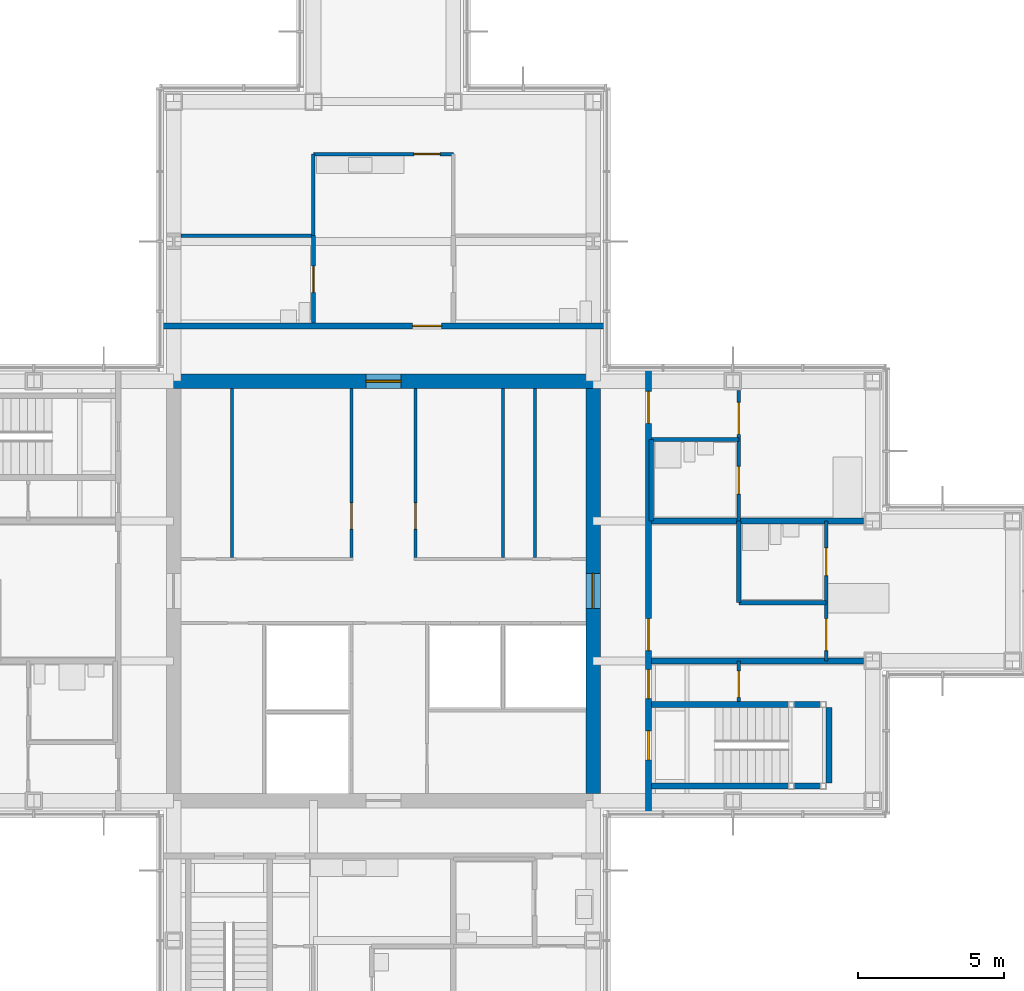
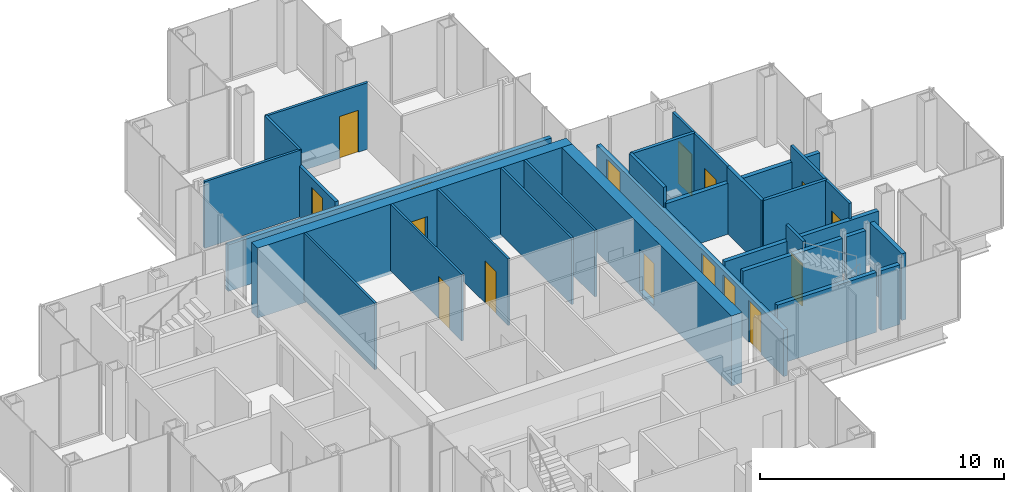
# One storey, part 13 of 17: 27 walls, 16 doors, 16 openings.
"""IFC4 building model written with IfcOpenShell, lengths in metres."""

from ifc_helpers import new_model, si_unit, direction, frame, frame_2d, origin, place, context, subcontext, project, spatial, rectangle, extrude, material, layer, layer_set, type_object, element, fill, save


model = new_model("IFC4")

# Units and contexts
model_context = context("Model", 3, precision=1e-05, world=origin(), true_north=direction((0.0, 1.0)))
body_context = subcontext(model_context, "Body", "Model", "MODEL_VIEW")
ifc_project = project(units=[si_unit("LENGTHUNIT", "METRE"), si_unit("AREAUNIT", "SQUARE_METRE"), si_unit("VOLUMEUNIT", "CUBIC_METRE"), si_unit("PLANEANGLEUNIT", "RADIAN"), si_unit("MASSUNIT", "GRAM", prefix="KILO")], contexts=[model_context])

# Site, building, storey
site_placement = place(None, origin())
site = spatial("IfcSite", under=ifc_project, at=site_placement, CompositionType="ELEMENT")
building_placement = place(site_placement, origin())
building = spatial("IfcBuilding", under=site, at=building_placement, Name="Kvirike Care Tower", CompositionType="ELEMENT")
storey_placement = place(building_placement, frame((0.0, 0.0, 158.5)))
storey = spatial("IfcBuildingStorey", under=building, at=storey_placement, Name="L43", CompositionType="ELEMENT", Elevation=158.5)

# Wall, opening, door
ifc_material_1 = material(Name="Moisture-resistant board partition", Category="gypsum")
ifc_layer_1 = layer(ifc_material_1, 0.14990234375)
ifc_layer_set_1 = layer_set([ifc_layer_1], Name="BATHROOM WALL 150")
wall_type_1 = type_object("IfcWallType", Name="BATHROOM WALL 150", PredefinedType="PARTITIONING", material=ifc_layer_set_1)
wall_1_placement = place(storey_placement, frame((19.199951171875, 48.199951171875, 0.0), z_axis=(0.0, 0.0, 1.0), x_axis=(0.0, -1.0, 0.0)))
wall_1 = element("IfcWall", 1, at=wall_1_placement, inside=storey, type_object=wall_type_1, Name="Bathroom Wall 150 L43", PredefinedType="PARTITIONING", context=body_context, shape_type="SweptSolid", body=[
    extrude(rectangle(XDim=3.0, YDim=0.14990234375, at=frame_2d((1.5, 0.0))), origin(), (0.0, 0.0, 1.0), 2.550048828125),
])
opening_1_placement = place(wall_1_placement, frame((1.050048828125, 0.0, 0.0)))
opening_1 = element("IfcOpeningElement", 2, at=opening_1_placement, cuts=wall_1, Name="Opening 43-018", PredefinedType="OPENING", context=body_context, shape_type="SweptSolid", body=[
    extrude(rectangle(XDim=0.89990234375, YDim=2.10009765625, at=frame_2d((0.449951171875, 1.050048828125))), frame((0.0, 0.08544921875, 0.0), z_axis=(0.0, -1.0, 0.0), x_axis=(1.0, 0.0, 0.0)), (0.0, 0.0, 1.0), 0.1708984375),
])
ifc_material_2 = material(Name="Timber door set", Category="wood")
door_type_1 = type_object("IfcDoorType", Name="BATHROOM DOOR 900", OperationType="SINGLE_SWING_RIGHT", PredefinedType="DOOR", material=ifc_material_2)
door_1_placement = place(opening_1_placement, frame((0.89990234375, 0.0, 0.0), z_axis=(0.0, 0.0, 1.0), x_axis=(-1.0, 0.0, 0.0)))
door_1 = element("IfcDoor", 3, at=door_1_placement, inside=storey, type_object=door_type_1, Name="Staff WC door", OperationType="SINGLE_SWING_LEFT", OverallHeight=2.10009765625, OverallWidth=0.89990234375, PredefinedType="DOOR", context=body_context, shape_type="SweptSolid", body=[
    extrude(rectangle(XDim=0.89990234375, YDim=2.10009765625, at=frame_2d((0.449951171875, 1.050048828125))), frame((0.0, 0.02197265625, 0.0), z_axis=(0.0, -1.0, 0.0), x_axis=(1.0, 0.0, 0.0)), (0.0, 0.0, 1.0), 0.0439453125),
])
fill(opening_1, door_1)

# Walls
wall_2_placement = place(storey_placement, frame((36.800048828125, 35.60009765625, 0.0), z_axis=(0.0, 0.0, 1.0), x_axis=(-1.0, 0.0, 0.0)))
element("IfcWall", 4, at=wall_2_placement, inside=storey, type_object=wall_type_1, Name="Bathroom Wall 150 L43", PredefinedType="PARTITIONING", context=body_context, shape_type="SweptSolid", body=[
    extrude(rectangle(XDim=3.0, YDim=0.14990234375, at=frame_2d((1.5, 0.0))), origin(), (0.0, 0.0, 1.0), 3.330078125),
])
wall_3_placement = place(storey_placement, frame((33.800048828125, 35.60009765625, 0.0), z_axis=(0.0, 0.0, 1.0), x_axis=(0.0, 1.0, 0.0)))
element("IfcWall", 5, at=wall_3_placement, inside=storey, type_object=wall_type_1, Name="Bathroom Wall 150 L43", PredefinedType="PARTITIONING", context=body_context, shape_type="SweptSolid", body=[
    extrude(rectangle(XDim=2.7998046875, YDim=0.14990234375, at=frame_2d((1.39990234375, 0.0))), origin(), (0.0, 0.0, 1.0), 3.330078125),
])
wall_4_placement = place(storey_placement, frame((33.800048828125, 41.199951171875, 0.0), z_axis=(0.0, 0.0, 1.0), x_axis=(-1.0, 0.0, 0.0)))
element("IfcWall", 6, at=wall_4_placement, inside=storey, type_object=wall_type_1, Name="Bathroom Wall 150 L43", PredefinedType="PARTITIONING", context=body_context, shape_type="SweptSolid", body=[
    extrude(rectangle(XDim=3.0, YDim=0.14990234375, at=frame_2d((1.5, 0.0))), origin(), (0.0, 0.0, 1.0), 3.330078125),
])
wall_5_placement = place(storey_placement, frame((30.800048828125, 38.39990234375, 0.0), z_axis=(0.0, 0.0, 1.0), x_axis=(0.0, 1.0, 0.0)))
element("IfcWall", 7, at=wall_5_placement, inside=storey, type_object=wall_type_1, Name="Bathroom Wall 150 L43", PredefinedType="PARTITIONING", context=body_context, shape_type="SweptSolid", body=[
    extrude(rectangle(XDim=2.800048828125, YDim=0.14990234375, at=frame_2d((1.39990234375, 0.0))), origin(), (0.0, 0.0, 1.0), 3.330078125),
])

# Wall, opening, door
ifc_material_3 = material(Name="Concrete C45/55", Category="concrete")
ifc_layer_2 = layer(ifc_material_3, 0.5)
ifc_layer_set_2 = layer_set([ifc_layer_2], Name="CORE WALL 500 C45-55")
wall_type_2 = type_object("IfcWallType", Name="CORE WALL 500 C45-55", PredefinedType="SHEAR", material=ifc_layer_set_2)
wall_6_placement = place(storey_placement, frame((29.050048828125, 43.199951171875, -0.169921875), z_axis=(0.0, 0.0, 1.0), x_axis=(-1.0, 0.0, 0.0)))
wall_6 = element("IfcWall", 8, at=wall_6_placement, inside=storey, type_object=wall_type_2, Name="Core wall N L43", PredefinedType="SHEAR", context=body_context, shape_type="SweptSolid", body=[
    extrude(rectangle(XDim=14.900146484375, YDim=0.5, at=frame_2d((7.4501953125, 0.0))), origin(), (0.0, 0.0, 1.0), 3.5),
])
opening_2_placement = place(wall_6_placement, frame((6.85009765625, 0.0, 0.169921875)))
opening_2 = element("IfcOpeningElement", 9, at=opening_2_placement, cuts=wall_6, Name="Opening 43-046", PredefinedType="OPENING", context=body_context, shape_type="SweptSolid", body=[
    extrude(rectangle(XDim=1.199951171875, YDim=2.10009765625, at=frame_2d((0.60009765625, 1.050048828125))), frame((0.0, 0.260498046875, 0.0), z_axis=(0.0, -1.0, 0.0), x_axis=(1.0, 0.0, 0.0)), (0.0, 0.0, 1.0), 0.52099609375),
])
ifc_material_4 = material(Name="Timber door set", Category="wood")
door_type_2 = type_object("IfcDoorType", Name="CORE DOOR 1200", OperationType="SINGLE_SWING_LEFT", PredefinedType="DOOR", material=ifc_material_4)
door_2_placement = place(opening_2_placement, origin())
door_2 = element("IfcDoor", 10, at=door_2_placement, inside=storey, type_object=door_type_2, Name="Core door N L43", OperationType="SINGLE_SWING_LEFT", OverallHeight=2.10009765625, OverallWidth=1.199951171875, PredefinedType="DOOR", context=body_context, shape_type="SweptSolid", body=[
    extrude(rectangle(XDim=1.199951171875, YDim=2.10009765625, at=frame_2d((0.60009765625, 1.050048828125))), frame((0.0, 0.02685546875, 0.0), z_axis=(0.0, -1.0, 0.0), x_axis=(1.0, 0.0, 0.0)), (0.0, 0.0, 1.0), 0.053955078125),
])
fill(opening_2, door_2)

wall_7_placement = place(storey_placement, frame((28.800048828125, 29.050048828125, -0.169921875), z_axis=(0.0, 0.0, 1.0), x_axis=(0.0, 1.0, 0.0)))
wall_7 = element("IfcWall", 11, at=wall_7_placement, inside=storey, type_object=wall_type_2, Name="Core wall E L43", PredefinedType="SHEAR", context=body_context, shape_type="SweptSolid", body=[
    extrude(rectangle(XDim=13.89990234375, YDim=0.5, at=frame_2d((6.949951171875, 0.0))), origin(), (0.0, 0.0, 1.0), 3.5),
])
opening_3_placement = place(wall_7_placement, frame((6.35009765625, 0.0, 0.169921875)))
opening_3 = element("IfcOpeningElement", 12, at=opening_3_placement, cuts=wall_7, Name="Opening 43-045", PredefinedType="OPENING", context=body_context, shape_type="SweptSolid", body=[
    extrude(rectangle(XDim=1.199951171875, YDim=2.10009765625, at=frame_2d((0.60009765625, 1.050048828125))), frame((0.0, 0.260498046875, 0.0), z_axis=(0.0, -1.0, 0.0), x_axis=(1.0, 0.0, 0.0)), (0.0, 0.0, 1.0), 0.52099609375),
])
door_3_placement = place(opening_3_placement, origin())
door_3 = element("IfcDoor", 13, at=door_3_placement, inside=storey, type_object=door_type_2, Name="Core door E L43", OperationType="SINGLE_SWING_LEFT", OverallHeight=2.10009765625, OverallWidth=1.199951171875, PredefinedType="DOOR", context=body_context, shape_type="SweptSolid", body=[
    extrude(rectangle(XDim=1.199951171875, YDim=2.10009765625, at=frame_2d((0.60009765625, 1.050048828125))), frame((0.0, 0.02685546875, 0.0), z_axis=(0.0, -1.0, 0.0), x_axis=(1.0, 0.0, 0.0)), (0.0, 0.0, 1.0), 0.053955078125),
])
fill(opening_3, door_3)

ifc_material_5 = material(Name="Plasterboard corridor wall", Category="gypsum")
ifc_layer_3 = layer(ifc_material_5, 0.199951171875)
ifc_layer_set_3 = layer_set([ifc_layer_3], Name="CORRIDOR WALL 200")
wall_type_3 = type_object("IfcWallType", Name="CORRIDOR WALL 200", PredefinedType="PARTITIONING", material=ifc_layer_set_3)
wall_8_placement = place(storey_placement, frame((29.25, 45.10009765625, 0.0), z_axis=(0.0, 0.0, 1.0), x_axis=(-1.0, 0.0, 0.0)))
wall_8 = element("IfcWall", 14, at=wall_8_placement, inside=storey, type_object=wall_type_3, Name="Corridor Wall 200 L43", PredefinedType="PARTITIONING", context=body_context, shape_type="SweptSolid", body=[
    extrude(rectangle(XDim=15.300048828125, YDim=0.199951171875, at=frame_2d((7.64990234375, 0.0))), origin(), (0.0, 0.0, 1.0), 2.320068359375),
])
opening_4_placement = place(wall_8_placement, frame((5.64990234375, 0.0, 0.0)))
opening_4 = element("IfcOpeningElement", 15, at=opening_4_placement, cuts=wall_8, Name="Opening 43-020", PredefinedType="OPENING", context=body_context, shape_type="SweptSolid", body=[
    extrude(rectangle(XDim=1.0, YDim=2.10009765625, at=frame_2d((0.5, 1.050048828125))), frame((0.0, 0.110595703125, 0.0), z_axis=(0.0, -1.0, 0.0), x_axis=(1.0, 0.0, 0.0)), (0.0, 0.0, 1.0), 0.220947265625),
])
ifc_material_6 = material(Name="Timber door set", Category="wood")
door_type_3 = type_object("IfcDoorType", Name="FLAT ENTRANCE DOOR 1000", OperationType="SINGLE_SWING_LEFT", PredefinedType="DOOR", material=ifc_material_6)
door_4_placement = place(opening_4_placement, frame((1.0, 0.0, 0.0), z_axis=(0.0, 0.0, 1.0), x_axis=(-1.0, 0.0, 0.0)))
door_4 = element("IfcDoor", 16, at=door_4_placement, inside=storey, type_object=door_type_3, Name="Household lounge and dining room entrance", OperationType="SINGLE_SWING_LEFT", OverallHeight=2.10009765625, OverallWidth=1.0, PredefinedType="DOOR", context=body_context, shape_type="SweptSolid", body=[
    extrude(rectangle(XDim=1.0, YDim=2.10009765625, at=frame_2d((0.5, 1.050048828125))), frame((0.0, 0.02685546875, 0.0), z_axis=(0.0, -1.0, 0.0), x_axis=(1.0, 0.0, 0.0)), (0.0, 0.0, 1.0), 0.053955078125),
])
fill(opening_4, door_4)

# Wall, openings, doors
wall_9_placement = place(storey_placement, frame((30.699951171875, 28.35009765625, 0.0), z_axis=(0.0, 0.0, 1.0), x_axis=(0.0, 1.0, 0.0)))
wall_9 = element("IfcWall", 17, at=wall_9_placement, inside=storey, type_object=wall_type_3, Name="Corridor Wall 200 L43", PredefinedType="PARTITIONING", context=body_context, shape_type="SweptSolid", body=[
    extrude(rectangle(XDim=15.2998046875, YDim=0.199951171875, at=frame_2d((7.64990234375, 0.0))), origin(), (0.0, 0.0, 1.0), 2.320068359375),
])
opening_5_placement = place(wall_9_placement, frame((1.85009765625, 0.0, 0.0)))
opening_5 = element("IfcOpeningElement", 18, at=opening_5_placement, cuts=wall_9, Name="Opening 43-026", PredefinedType="OPENING", context=body_context, shape_type="SweptSolid", body=[
    extrude(rectangle(XDim=1.0, YDim=2.10009765625, at=frame_2d((0.5, 1.050048828125))), frame((0.0, 0.110595703125, 0.0), z_axis=(0.0, -1.0, 0.0), x_axis=(1.0, 0.0, 0.0)), (0.0, 0.0, 1.0), 0.220947265625),
])
opening_6_placement = place(wall_9_placement, frame((3.949951171875, 0.0, 0.0)))
opening_6 = element("IfcOpeningElement", 19, at=opening_6_placement, cuts=wall_9, Name="Opening 43-027", PredefinedType="OPENING", context=body_context, shape_type="SweptSolid", body=[
    extrude(rectangle(XDim=1.0, YDim=2.10009765625, at=frame_2d((0.5, 1.050048828125))), frame((0.0, 0.110595703125, 0.0), z_axis=(0.0, -1.0, 0.0), x_axis=(1.0, 0.0, 0.0)), (0.0, 0.0, 1.0), 0.220947265625),
])
opening_7_placement = place(wall_9_placement, frame((5.60009765625, 0.0, 0.0)))
opening_7 = element("IfcOpeningElement", 20, at=opening_7_placement, cuts=wall_9, Name="Opening 43-028", PredefinedType="OPENING", context=body_context, shape_type="SweptSolid", body=[
    extrude(rectangle(XDim=1.10009765625, YDim=2.10009765625, at=frame_2d((0.550048828125, 1.050048828125))), frame((0.0, 0.110595703125, 0.0), z_axis=(0.0, -1.0, 0.0), x_axis=(1.0, 0.0, 0.0)), (0.0, 0.0, 1.0), 0.220947265625),
])
opening_8_placement = place(wall_9_placement, frame((13.39990234375, 0.0, 0.0)))
opening_8 = element("IfcOpeningElement", 21, at=opening_8_placement, cuts=wall_9, Name="Opening 43-029", PredefinedType="OPENING", context=body_context, shape_type="SweptSolid", body=[
    extrude(rectangle(XDim=1.10009765625, YDim=2.10009765625, at=frame_2d((0.550048828125, 1.050048828125))), frame((0.0, 0.110595703125, 0.0), z_axis=(0.0, -1.0, 0.0), x_axis=(1.0, 0.0, 0.0)), (0.0, 0.0, 1.0), 0.220947265625),
])
ifc_material_7 = material(Name="Timber door set", Category="wood")
door_type_4 = type_object("IfcDoorType", Name="BEDROOM ENTRANCE DOOR 1100", OperationType="SINGLE_SWING_LEFT", PredefinedType="DOOR", material=ifc_material_7)
door_5_placement = place(opening_7_placement, frame((1.10009765625, 0.0, 0.0), z_axis=(0.0, 0.0, 1.0), x_axis=(-1.0, 0.0, 0.0)))
door_5 = element("IfcDoor", 22, at=door_5_placement, inside=storey, type_object=door_type_4, Name="Memory care bedroom entrance", OperationType="SINGLE_SWING_LEFT", OverallHeight=2.10009765625, OverallWidth=1.10009765625, PredefinedType="DOOR", context=body_context, shape_type="SweptSolid", body=[
    extrude(rectangle(XDim=1.10009765625, YDim=2.10009765625, at=frame_2d((0.550048828125, 1.050048828125))), frame((0.0, 0.02685546875, 0.0), z_axis=(0.0, -1.0, 0.0), x_axis=(1.0, 0.0, 0.0)), (0.0, 0.0, 1.0), 0.053955078125),
])
fill(opening_7, door_5)
door_6_placement = place(opening_8_placement, frame((1.10009765625, 0.0, 0.0), z_axis=(0.0, 0.0, 1.0), x_axis=(-1.0, 0.0, 0.0)))
door_6 = element("IfcDoor", 23, at=door_6_placement, inside=storey, type_object=door_type_4, Name="Memory care bedroom entrance", OperationType="SINGLE_SWING_RIGHT", OverallHeight=2.10009765625, OverallWidth=1.10009765625, PredefinedType="DOOR", context=body_context, shape_type="SweptSolid", body=[
    extrude(rectangle(XDim=1.10009765625, YDim=2.10009765625, at=frame_2d((0.550048828125, 1.050048828125))), frame((0.0, 0.02685546875, 0.0), z_axis=(0.0, -1.0, 0.0), x_axis=(1.0, 0.0, 0.0)), (0.0, 0.0, 1.0), 0.053955078125),
])
fill(opening_8, door_6)
door_7_placement = place(opening_6_placement, frame((1.0, 0.0, 0.0), z_axis=(0.0, 0.0, 1.0), x_axis=(-1.0, 0.0, 0.0)))
door_7 = element("IfcDoor", 24, at=door_7_placement, inside=storey, type_object=door_type_3, Name="Care base entrance", OperationType="SINGLE_SWING_LEFT", OverallHeight=2.10009765625, OverallWidth=1.0, PredefinedType="DOOR", context=body_context, shape_type="SweptSolid", body=[
    extrude(rectangle(XDim=1.0, YDim=2.10009765625, at=frame_2d((0.5, 1.050048828125))), frame((0.0, 0.02685546875, 0.0), z_axis=(0.0, -1.0, 0.0), x_axis=(1.0, 0.0, 0.0)), (0.0, 0.0, 1.0), 0.053955078125),
])
fill(opening_6, door_7)
ifc_material_8 = material(Name="Timber door set", Category="wood")
door_type_5 = type_object("IfcDoorType", Name="STAIR DOOR 1000", OperationType="SINGLE_SWING_LEFT", PredefinedType="DOOR", material=ifc_material_8)
door_8_placement = place(opening_5_placement, frame((1.0, 0.0, 0.0), z_axis=(0.0, 0.0, 1.0), x_axis=(-1.0, 0.0, 0.0)))
door_8 = element("IfcDoor", 25, at=door_8_placement, inside=storey, type_object=door_type_5, Name="Stair 2 door", OperationType="SINGLE_SWING_LEFT", OverallHeight=2.10009765625, OverallWidth=1.0, PredefinedType="DOOR", context=body_context, shape_type="SweptSolid", body=[
    extrude(rectangle(XDim=1.0, YDim=2.10009765625, at=frame_2d((0.5, 1.050048828125))), frame((0.0, 0.031982421875, 0.0), z_axis=(0.0, -1.0, 0.0), x_axis=(1.0, 0.0, 0.0)), (0.0, 0.0, 1.0), 0.06396484375),
])
fill(opening_5, door_8)

# Wall, opening, door
ifc_material_9 = material(Name="Plasterboard partition", Category="gypsum")
ifc_layer_4 = layer(ifc_material_9, 0.1201171875)
ifc_layer_set_4 = layer_set([ifc_layer_4], Name="PARTITION 120")
wall_type_4 = type_object("IfcWallType", Name="PARTITION 120", PredefinedType="PARTITIONING", material=ifc_layer_set_4)
wall_10_placement = place(storey_placement, frame((24.0, 51.0, 0.0), z_axis=(0.0, 0.0, 1.0), x_axis=(-1.0, 0.0, 0.0)))
wall_10 = element("IfcWall", 26, at=wall_10_placement, inside=storey, type_object=wall_type_4, Name="Partition 120 L43", PredefinedType="PARTITIONING", context=body_context, shape_type="SweptSolid", body=[
    extrude(rectangle(XDim=4.800048828125, YDim=0.1201171875, at=frame_2d((2.39990234375, 0.0))), origin(), (0.0, 0.0, 1.0), 3.330078125),
])
opening_9_placement = place(wall_10_placement, frame((0.449951171875, 0.0, 0.0)))
opening_9 = element("IfcOpeningElement", 27, at=opening_9_placement, cuts=wall_10, Name="Opening 43-019", PredefinedType="OPENING", context=body_context, shape_type="SweptSolid", body=[
    extrude(rectangle(XDim=0.89990234375, YDim=2.10009765625, at=frame_2d((0.449951171875, 1.050048828125))), frame((0.0, 0.070556640625, 0.0), z_axis=(0.0, -1.0, 0.0), x_axis=(1.0, 0.0, 0.0)), (0.0, 0.0, 1.0), 0.14111328125),
])
ifc_material_10 = material(Name="Timber door set", Category="wood")
door_type_6 = type_object("IfcDoorType", Name="INTERNAL DOOR 900", OperationType="SINGLE_SWING_LEFT", PredefinedType="DOOR", material=ifc_material_10)
door_9_placement = place(opening_9_placement, origin())
door_9 = element("IfcDoor", 28, at=door_9_placement, inside=storey, type_object=door_type_6, Name="Household lounge and dining room door", OperationType="SINGLE_SWING_RIGHT", OverallHeight=2.10009765625, OverallWidth=0.89990234375, PredefinedType="DOOR", context=body_context, shape_type="SweptSolid", body=[
    extrude(rectangle(XDim=0.89990234375, YDim=2.10009765625, at=frame_2d((0.449951171875, 1.050048828125))), frame((0.0, 0.02197265625, 0.0), z_axis=(0.0, -1.0, 0.0), x_axis=(1.0, 0.0, 0.0)), (0.0, 0.0, 1.0), 0.0439453125),
])
fill(opening_9, door_9)

# Walls
wall_11_placement = place(storey_placement, frame((19.199951171875, 48.199951171875, 0.0), z_axis=(0.0, 0.0, 1.0), x_axis=(-1.0, 0.0, 0.0)))
element("IfcWall", 29, at=wall_11_placement, inside=storey, type_object=wall_type_4, Name="Partition 120 L43", PredefinedType="PARTITIONING", context=body_context, shape_type="SweptSolid", body=[
    extrude(rectangle(XDim=4.552978515625, YDim=0.1201171875, at=frame_2d((2.2763671875, 0.0))), origin(), (0.0, 0.0, 1.0), 3.330078125),
])
wall_12_placement = place(storey_placement, frame((19.199951171875, 51.0, 0.0), z_axis=(0.0, 0.0, 1.0), x_axis=(0.0, -1.0, 0.0)))
element("IfcWall", 30, at=wall_12_placement, inside=storey, type_object=wall_type_4, Name="Partition 120 L43", PredefinedType="PARTITIONING", context=body_context, shape_type="SweptSolid", body=[
    extrude(rectangle(XDim=2.800048828125, YDim=0.1201171875, at=frame_2d((1.39990234375, 0.0))), origin(), (0.0, 0.0, 1.0), 3.330078125),
])

# Wall, opening, door
wall_13_placement = place(storey_placement, frame((33.800048828125, 32.199951171875, 0.0), z_axis=(0.0, 0.0, 1.0), x_axis=(0.0, 1.0, 0.0)))
wall_13 = element("IfcWall", 31, at=wall_13_placement, inside=storey, type_object=wall_type_4, Name="Partition 120 L43", PredefinedType="PARTITIONING", context=body_context, shape_type="SweptSolid", body=[
    extrude(rectangle(XDim=1.400146484375, YDim=0.1201171875, at=frame_2d((0.7001953125, 0.0))), origin(), (0.0, 0.0, 1.0), 3.330078125),
])
opening_10_placement = place(wall_13_placement, frame((0.14990234375, 0.0, 0.0)))
opening_10 = element("IfcOpeningElement", 32, at=opening_10_placement, cuts=wall_13, Name="Opening 43-021", PredefinedType="OPENING", context=body_context, shape_type="SweptSolid", body=[
    extrude(rectangle(XDim=0.89990234375, YDim=2.10009765625, at=frame_2d((0.449951171875, 1.050048828125))), frame((0.0, 0.070556640625, 0.0), z_axis=(0.0, -1.0, 0.0), x_axis=(1.0, 0.0, 0.0)), (0.0, 0.0, 1.0), 0.14111328125),
])
door_10_placement = place(opening_10_placement, origin())
door_10 = element("IfcDoor", 33, at=door_10_placement, inside=storey, type_object=door_type_6, Name="Quiet room door", OperationType="SINGLE_SWING_RIGHT", OverallHeight=2.10009765625, OverallWidth=0.89990234375, PredefinedType="DOOR", context=body_context, shape_type="SweptSolid", body=[
    extrude(rectangle(XDim=0.89990234375, YDim=2.10009765625, at=frame_2d((0.449951171875, 1.050048828125))), frame((0.0, 0.02197265625, 0.0), z_axis=(0.0, -1.0, 0.0), x_axis=(1.0, 0.0, 0.0)), (0.0, 0.0, 1.0), 0.0439453125),
])
fill(opening_10, door_10)

# Wall, openings, doors
wall_14_placement = place(storey_placement, frame((36.800048828125, 33.60009765625, 0.0), z_axis=(0.0, 0.0, 1.0), x_axis=(0.0, 1.0, 0.0)))
wall_14 = element("IfcWall", 34, at=wall_14_placement, inside=storey, type_object=wall_type_4, Name="Partition 120 L43", PredefinedType="PARTITIONING", context=body_context, shape_type="SweptSolid", body=[
    extrude(rectangle(XDim=4.7998046875, YDim=0.1201171875, at=frame_2d((2.39990234375, 0.0))), origin(), (0.0, 0.0, 1.0), 3.330078125),
])
opening_11_placement = place(wall_14_placement, frame((0.35009765625, 0.0, 0.0)))
opening_11 = element("IfcOpeningElement", 35, at=opening_11_placement, cuts=wall_14, Name="Opening 43-022", PredefinedType="OPENING", context=body_context, shape_type="SweptSolid", body=[
    extrude(rectangle(XDim=1.10009765625, YDim=2.10009765625, at=frame_2d((0.550048828125, 1.050048828125))), frame((0.0, 0.070556640625, 0.0), z_axis=(0.0, -1.0, 0.0), x_axis=(1.0, 0.0, 0.0)), (0.0, 0.0, 1.0), 0.14111328125),
])
opening_12_placement = place(wall_14_placement, frame((2.925048828125, 0.0, 0.0)))
opening_12 = element("IfcOpeningElement", 36, at=opening_12_placement, cuts=wall_14, Name="Opening 43-023", PredefinedType="OPENING", context=body_context, shape_type="SweptSolid", body=[
    extrude(rectangle(XDim=0.949951171875, YDim=2.10009765625, at=frame_2d((0.47509765625, 1.050048828125))), frame((0.0, 0.070556640625, 0.0), z_axis=(0.0, -1.0, 0.0), x_axis=(1.0, 0.0, 0.0)), (0.0, 0.0, 1.0), 0.14111328125),
])
ifc_material_11 = material(Name="Timber door set", Category="wood")
door_type_7 = type_object("IfcDoorType", Name="BEDROOM DOOR 1100", OperationType="SINGLE_SWING_LEFT", PredefinedType="DOOR", material=ifc_material_11)
door_11_placement = place(opening_11_placement, origin())
door_11 = element("IfcDoor", 37, at=door_11_placement, inside=storey, type_object=door_type_7, Name="Memory care bedroom door", OperationType="SINGLE_SWING_RIGHT", OverallHeight=2.10009765625, OverallWidth=1.10009765625, PredefinedType="DOOR", context=body_context, shape_type="SweptSolid", body=[
    extrude(rectangle(XDim=1.10009765625, YDim=2.10009765625, at=frame_2d((0.550048828125, 1.050048828125))), frame((0.0, 0.02197265625, 0.0), z_axis=(0.0, -1.0, 0.0), x_axis=(1.0, 0.0, 0.0)), (0.0, 0.0, 1.0), 0.0439453125),
])
fill(opening_11, door_11)
ifc_material_12 = material(Name="Timber door set", Category="wood")
door_type_8 = type_object("IfcDoorType", Name="EN-SUITE SLIDING DOOR 950", OperationType="SLIDING_TO_LEFT", PredefinedType="DOOR", material=ifc_material_12)
door_12_placement = place(opening_12_placement, origin())
door_12 = element("IfcDoor", 38, at=door_12_placement, inside=storey, type_object=door_type_8, Name="En-suite door", OperationType="SLIDING_TO_RIGHT", OverallHeight=2.10009765625, OverallWidth=0.949951171875, PredefinedType="DOOR", context=body_context, shape_type="SweptSolid", body=[
    extrude(rectangle(XDim=0.949951171875, YDim=2.10009765625, at=frame_2d((0.47509765625, 1.050048828125))), frame((0.0, 0.02197265625, 0.0), z_axis=(0.0, -1.0, 0.0), x_axis=(1.0, 0.0, 0.0)), (0.0, 0.0, 1.0), 0.0439453125),
])
fill(opening_12, door_12)

wall_15_placement = place(storey_placement, frame((33.800048828125, 38.39990234375, 0.0), z_axis=(0.0, 0.0, 1.0), x_axis=(0.0, 1.0, 0.0)))
wall_15 = element("IfcWall", 39, at=wall_15_placement, inside=storey, type_object=wall_type_4, Name="Partition 120 L43", PredefinedType="PARTITIONING", context=body_context, shape_type="SweptSolid", body=[
    extrude(rectangle(XDim=4.47998046875, YDim=0.1201171875, at=frame_2d((2.239990234375, 0.0))), origin(), (0.0, 0.0, 1.0), 3.330078125),
])
opening_13_placement = place(wall_15_placement, frame((2.97509765625, 0.0, 0.0)))
opening_13 = element("IfcOpeningElement", 40, at=opening_13_placement, cuts=wall_15, Name="Opening 43-024", PredefinedType="OPENING", context=body_context, shape_type="SweptSolid", body=[
    extrude(rectangle(XDim=1.10009765625, YDim=2.10009765625, at=frame_2d((0.550048828125, 1.050048828125))), frame((0.0, 0.070556640625, 0.0), z_axis=(0.0, -1.0, 0.0), x_axis=(1.0, 0.0, 0.0)), (0.0, 0.0, 1.0), 0.14111328125),
])
opening_14_placement = place(wall_15_placement, frame((0.925048828125, 0.0, 0.0)))
opening_14 = element("IfcOpeningElement", 41, at=opening_14_placement, cuts=wall_15, Name="Opening 43-025", PredefinedType="OPENING", context=body_context, shape_type="SweptSolid", body=[
    extrude(rectangle(XDim=0.949951171875, YDim=2.10009765625, at=frame_2d((0.47509765625, 1.050048828125))), frame((0.0, 0.070556640625, 0.0), z_axis=(0.0, -1.0, 0.0), x_axis=(1.0, 0.0, 0.0)), (0.0, 0.0, 1.0), 0.14111328125),
])
door_13_placement = place(opening_13_placement, origin())
door_13 = element("IfcDoor", 42, at=door_13_placement, inside=storey, type_object=door_type_7, Name="Memory care bedroom door", OperationType="SINGLE_SWING_RIGHT", OverallHeight=2.10009765625, OverallWidth=1.10009765625, PredefinedType="DOOR", context=body_context, shape_type="SweptSolid", body=[
    extrude(rectangle(XDim=1.10009765625, YDim=2.10009765625, at=frame_2d((0.550048828125, 1.050048828125))), frame((0.0, 0.02197265625, 0.0), z_axis=(0.0, -1.0, 0.0), x_axis=(1.0, 0.0, 0.0)), (0.0, 0.0, 1.0), 0.0439453125),
])
fill(opening_13, door_13)
door_14_placement = place(opening_14_placement, origin())
door_14 = element("IfcDoor", 43, at=door_14_placement, inside=storey, type_object=door_type_8, Name="En-suite door", OperationType="SLIDING_TO_RIGHT", OverallHeight=2.10009765625, OverallWidth=0.949951171875, PredefinedType="DOOR", context=body_context, shape_type="SweptSolid", body=[
    extrude(rectangle(XDim=0.949951171875, YDim=2.10009765625, at=frame_2d((0.47509765625, 1.050048828125))), frame((0.0, 0.02197265625, 0.0), z_axis=(0.0, -1.0, 0.0), x_axis=(1.0, 0.0, 0.0)), (0.0, 0.0, 1.0), 0.0439453125),
])
fill(opening_14, door_14)

# Walls
ifc_material_13 = material(Name="Plasterboard party wall", Category="gypsum")
ifc_layer_5 = layer(ifc_material_13, 0.199951171875)
ifc_layer_set_5 = layer_set([ifc_layer_5], Name="PARTY WALL 200")
wall_type_5 = type_object("IfcWallType", Name="PARTY WALL 200", PredefinedType="PARTITIONING", material=ifc_layer_set_5)
for number, where, z_axis, x_axis, name in (
    (44, (38.080078125, 33.60009765625, 0.0), (0.0, 0.0, 1.0), (-1.0, 0.0, 0.0), "Party Wall 200 L43"),
    (45, (38.080078125, 38.39990234375, 0.0), (0.0, 0.0, 1.0), (-1.0, 0.0, 0.0), "Party Wall 200 L43"),
):
    element("IfcWall", number, at=place(storey_placement, frame(where, z_axis=z_axis, x_axis=x_axis)), inside=storey, type_object=wall_type_5, Name=name, PredefinedType="PARTITIONING", context=body_context, shape_type="SweptSolid", body=[
        extrude(rectangle(XDim=7.280029296875, YDim=0.199951171875, at=frame_2d((3.64013671875, 0.0))), origin(), (0.0, 0.0, 1.0), 2.550048828125),
    ])
ifc_material_14 = material(Name="Gypsum shaft wall system", Category="gypsum")
ifc_layer_6 = layer(ifc_material_14, 0.10009765625)
ifc_layer_set_6 = layer_set([ifc_layer_6], Name="SHAFT WALL 100")
wall_type_6 = type_object("IfcWallType", Name="SHAFT WALL 100", PredefinedType="SOLIDWALL", material=ifc_layer_set_6)
for number, where, z_axis, x_axis, name in (
    (46, (16.39990234375, 37.14990234375, 0.0), (0.0, 0.0, 1.0), (0.0, 1.0, 0.0), "Shaft Wall 100 L43"),
    (47, (26.800048828125, 37.14990234375, 0.0), (0.0, 0.0, 1.0), (0.0, 1.0, 0.0), "Shaft Wall 100 L43"),
):
    element("IfcWall", number, at=place(storey_placement, frame(where, z_axis=z_axis, x_axis=x_axis)), inside=storey, type_object=wall_type_6, Name=name, PredefinedType="SOLIDWALL", context=body_context, shape_type="SweptSolid", body=[
        extrude(rectangle(XDim=5.800048828125, YDim=0.10009765625, at=frame_2d((2.89990234375, 0.0))), origin(), (0.0, 0.0, 1.0), 3.330078125),
    ])

# Wall, opening, door
wall_16_placement = place(storey_placement, frame((20.5, 37.14990234375, 0.0), z_axis=(0.0, 0.0, 1.0), x_axis=(0.0, 1.0, 0.0)))
wall_16 = element("IfcWall", 48, at=wall_16_placement, inside=storey, type_object=wall_type_6, Name="Shaft Wall 100 L43", PredefinedType="SOLIDWALL", context=body_context, shape_type="SweptSolid", body=[
    extrude(rectangle(XDim=5.800048828125, YDim=0.10009765625, at=frame_2d((2.89990234375, 0.0))), origin(), (0.0, 0.0, 1.0), 3.330078125),
])
opening_15_placement = place(wall_16_placement, frame((0.97509765625, 0.0, 0.0)))
opening_15 = element("IfcOpeningElement", 49, at=opening_15_placement, cuts=wall_16, Name="Opening 43-032", PredefinedType="OPENING", context=body_context, shape_type="SweptSolid", body=[
    extrude(rectangle(XDim=0.89990234375, YDim=2.10009765625, at=frame_2d((0.449951171875, 1.050048828125))), frame((0.0, 0.060546875, 0.0), z_axis=(0.0, -1.0, 0.0), x_axis=(1.0, 0.0, 0.0)), (0.0, 0.0, 1.0), 0.12109375),
])
ifc_material_15 = material(Name="Timber door set", Category="wood")
door_type_9 = type_object("IfcDoorType", Name="STORE DOOR 900", OperationType="SINGLE_SWING_LEFT", PredefinedType="DOOR", material=ifc_material_15)
door_15_placement = place(opening_15_placement, origin())
door_15 = element("IfcDoor", 50, at=door_15_placement, inside=storey, type_object=door_type_9, Name="Housekeeping office door", OperationType="SINGLE_SWING_RIGHT", OverallHeight=2.10009765625, OverallWidth=0.89990234375, PredefinedType="DOOR", context=body_context, shape_type="SweptSolid", body=[
    extrude(rectangle(XDim=0.89990234375, YDim=2.10009765625, at=frame_2d((0.449951171875, 1.050048828125))), frame((0.0, 0.02685546875, 0.0), z_axis=(0.0, -1.0, 0.0), x_axis=(1.0, 0.0, 0.0)), (0.0, 0.0, 1.0), 0.053955078125),
])
fill(opening_15, door_15)

wall_17_placement = place(storey_placement, frame((22.699951171875, 37.14990234375, 0.0), z_axis=(0.0, 0.0, 1.0), x_axis=(0.0, 1.0, 0.0)))
wall_17 = element("IfcWall", 51, at=wall_17_placement, inside=storey, type_object=wall_type_6, Name="Shaft Wall 100 L43", PredefinedType="SOLIDWALL", context=body_context, shape_type="SweptSolid", body=[
    extrude(rectangle(XDim=5.800048828125, YDim=0.10009765625, at=frame_2d((2.89990234375, 0.0))), origin(), (0.0, 0.0, 1.0), 3.330078125),
])
opening_16_placement = place(wall_17_placement, frame((0.97509765625, 0.0, 0.0)))
opening_16 = element("IfcOpeningElement", 52, at=opening_16_placement, cuts=wall_17, Name="Opening 43-033", PredefinedType="OPENING", context=body_context, shape_type="SweptSolid", body=[
    extrude(rectangle(XDim=0.89990234375, YDim=2.10009765625, at=frame_2d((0.449951171875, 1.050048828125))), frame((0.0, 0.060546875, 0.0), z_axis=(0.0, -1.0, 0.0), x_axis=(1.0, 0.0, 0.0)), (0.0, 0.0, 1.0), 0.12109375),
])
door_16_placement = place(opening_16_placement, frame((0.89990234375, 0.0, 0.0), z_axis=(0.0, 0.0, 1.0), x_axis=(-1.0, 0.0, 0.0)))
door_16 = element("IfcDoor", 53, at=door_16_placement, inside=storey, type_object=door_type_9, Name="Staff room door", OperationType="SINGLE_SWING_LEFT", OverallHeight=2.10009765625, OverallWidth=0.89990234375, PredefinedType="DOOR", context=body_context, shape_type="SweptSolid", body=[
    extrude(rectangle(XDim=0.89990234375, YDim=2.10009765625, at=frame_2d((0.449951171875, 1.050048828125))), frame((0.0, 0.02685546875, 0.0), z_axis=(0.0, -1.0, 0.0), x_axis=(1.0, 0.0, 0.0)), (0.0, 0.0, 1.0), 0.053955078125),
])
fill(opening_16, door_16)

# Walls
wall_18_placement = place(storey_placement, frame((25.699951171875, 37.14990234375, 0.0), z_axis=(0.0, 0.0, 1.0), x_axis=(0.0, 1.0, 0.0)))
element("IfcWall", 54, at=wall_18_placement, inside=storey, type_object=wall_type_6, Name="Shaft Wall 100 L43", PredefinedType="SOLIDWALL", context=body_context, shape_type="SweptSolid", body=[
    extrude(rectangle(XDim=5.800048828125, YDim=0.10009765625, at=frame_2d((2.89990234375, 0.0))), origin(), (0.0, 0.0, 1.0), 3.330078125),
])
ifc_material_16 = material(Name="Concrete C40/50", Category="concrete")
ifc_layer_7 = layer(ifc_material_16, 0.199951171875)
ifc_layer_set_7 = layer_set([ifc_layer_7], Name="STAIR WALL 200")
wall_type_7 = type_object("IfcWallType", Name="STAIR WALL 200", PredefinedType="SOLIDWALL", material=ifc_layer_set_7)
wall_19_placement = place(storey_placement, frame((36.60009765625, 29.300048828125, 0.0), z_axis=(0.0, 0.0, 1.0), x_axis=(-1.0, 0.0, 0.0)))
element("IfcWall", 55, at=wall_19_placement, inside=storey, type_object=wall_type_7, Name="Stair Wall 200 L43", PredefinedType="SOLIDWALL", context=body_context, shape_type="SweptSolid", body=[
    extrude(rectangle(XDim=0.900146484375, YDim=0.199951171875, at=frame_2d((0.4501953125, 0.0))), origin(), (0.0, 0.0, 1.0), 2.989990234375),
])
wall_20_placement = place(storey_placement, frame((35.5, 29.300048828125, 0.0), z_axis=(0.0, 0.0, 1.0), x_axis=(-1.0, 0.0, 0.0)))
element("IfcWall", 56, at=wall_20_placement, inside=storey, type_object=wall_type_7, Name="Stair Wall 200 L43", PredefinedType="SOLIDWALL", context=body_context, shape_type="SweptSolid", body=[
    extrude(rectangle(XDim=4.699951171875, YDim=0.199951171875, at=frame_2d((2.35009765625, 0.0))), origin(), (0.0, 0.0, 1.0), 2.989990234375),
])
wall_21_placement = place(storey_placement, frame((36.60009765625, 32.10009765625, 0.0), z_axis=(0.0, 0.0, 1.0), x_axis=(-1.0, 0.0, 0.0)))
element("IfcWall", 57, at=wall_21_placement, inside=storey, type_object=wall_type_7, Name="Stair Wall 200 L43", PredefinedType="SOLIDWALL", context=body_context, shape_type="SweptSolid", body=[
    extrude(rectangle(XDim=0.900146484375, YDim=0.199951171875, at=frame_2d((0.4501953125, 0.0))), origin(), (0.0, 0.0, 1.0), 2.989990234375),
])
wall_22_placement = place(storey_placement, frame((35.5, 32.10009765625, 0.0), z_axis=(0.0, 0.0, 1.0), x_axis=(-1.0, 0.0, 0.0)))
element("IfcWall", 58, at=wall_22_placement, inside=storey, type_object=wall_type_7, Name="Stair Wall 200 L43", PredefinedType="SOLIDWALL", context=body_context, shape_type="SweptSolid", body=[
    extrude(rectangle(XDim=4.699951171875, YDim=0.199951171875, at=frame_2d((2.35009765625, 0.0))), origin(), (0.0, 0.0, 1.0), 2.989990234375),
])
wall_23_placement = place(storey_placement, frame((36.89990234375, 29.39990234375, 0.0), z_axis=(0.0, 0.0, 1.0), x_axis=(0.0, 1.0, 0.0)))
element("IfcWall", 59, at=wall_23_placement, inside=storey, type_object=wall_type_7, Name="Stair Wall 200 L43", PredefinedType="SOLIDWALL", context=body_context, shape_type="SweptSolid", body=[
    extrude(rectangle(XDim=2.60009765625, YDim=0.199951171875, at=frame_2d((1.300048828125, 0.0))), origin(), (0.0, 0.0, 1.0), 3.330078125),
])

save(model, "model.ifc")
